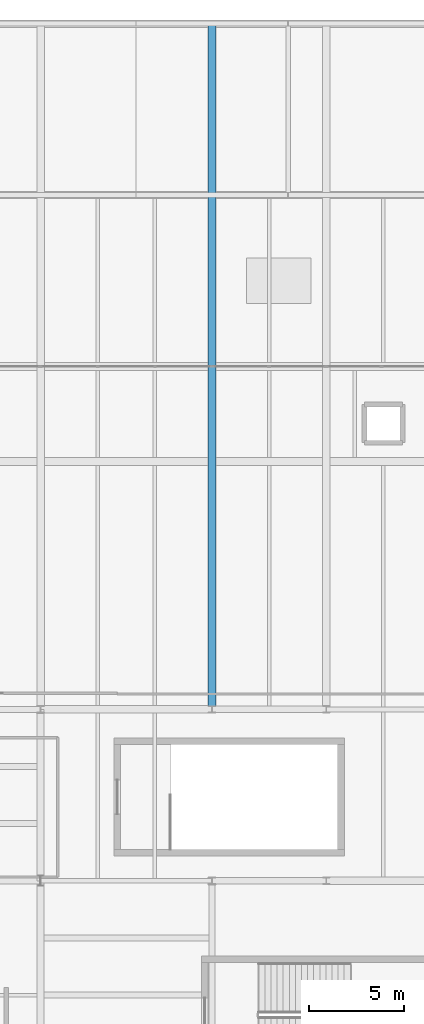
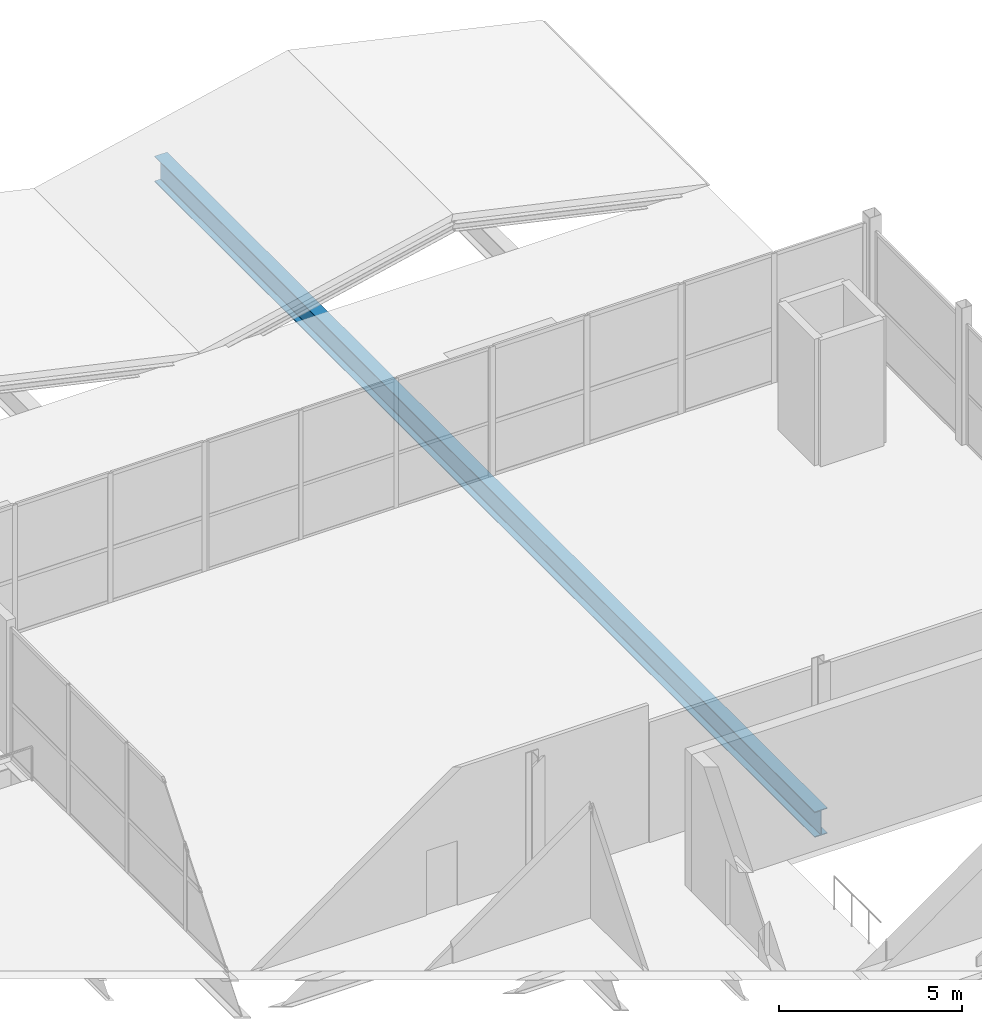
# One storey, part 27 of 50: 1 beam.
"""IFC4 building model written with IfcOpenShell, lengths in metres."""

from ifc_helpers import new_model, si_unit, direction, frame, origin, origin_2d, place, context, subcontext, project, spatial, i_section, extrude, material, material_profile, profile_set, type_object, element, save


model = new_model("IFC4")

# Units and contexts
model_context = context("Model", 3, precision=1e-05, world=origin(), true_north=direction((0.0, 1.0)))
body_context = subcontext(model_context, "Body", "Model", "MODEL_VIEW")
ifc_project = project(units=[si_unit("LENGTHUNIT", "METRE"), si_unit("AREAUNIT", "SQUARE_METRE"), si_unit("VOLUMEUNIT", "CUBIC_METRE"), si_unit("PLANEANGLEUNIT", "RADIAN"), si_unit("MASSUNIT", "GRAM", prefix="KILO")], contexts=[model_context])

# Site, building, storey
site_placement = place(None, origin())
site = spatial("IfcSite", under=ifc_project, at=site_placement, CompositionType="ELEMENT")
building_placement = place(site_placement, origin())
building = spatial("IfcBuilding", under=site, at=building_placement, Name="Qamarlyn Nura Convention Centre", CompositionType="ELEMENT")
storey_placement = place(building_placement, frame((0.0, 0.0, 20.39990234375)))
storey = spatial("IfcBuildingStorey", under=building, at=storey_placement, Name="L04", CompositionType="ELEMENT", Elevation=20.39990234375)

# Beam
ifc_material = material(Name="Steel ASTM A992", Category="steel")
ifc_material_profile = material_profile(ifc_material, i_section(OverallWidth=0.39990234375, OverallDepth=0.85498046875, WebThickness=0.018310546875, FlangeThickness=0.029296875, FilletRadius=0.02197265625, at=origin_2d()), Name="W840X299")
ifc_profile_set = profile_set([ifc_material_profile], Name="Steel ASTM A992")
beam_type = type_object("IfcBeamType", Name="BM-GIRD-840", PredefinedType="BEAM", material=ifc_profile_set)
beam_placement = place(storey_placement, frame((180.0, 90.0, -0.62744140625), z_axis=(0.0, 1.0, 0.0), x_axis=(-1.0, 0.0, 0.0)))
element("IfcBeam", 1, at=beam_placement, inside=storey, type_object=beam_type, Name="L04 girder 16 L-Q", PredefinedType="BEAM", context=body_context, shape_type="SweptSolid", body=[
    extrude(i_section(OverallWidth=0.39990234375, OverallDepth=0.85498046875, WebThickness=0.018310546875, FlangeThickness=0.029296875, FilletRadius=0.02197265625, at=origin_2d()), origin(), (0.0, 0.0, 1.0), 36.0),
])

save(model, "model.ifc")
